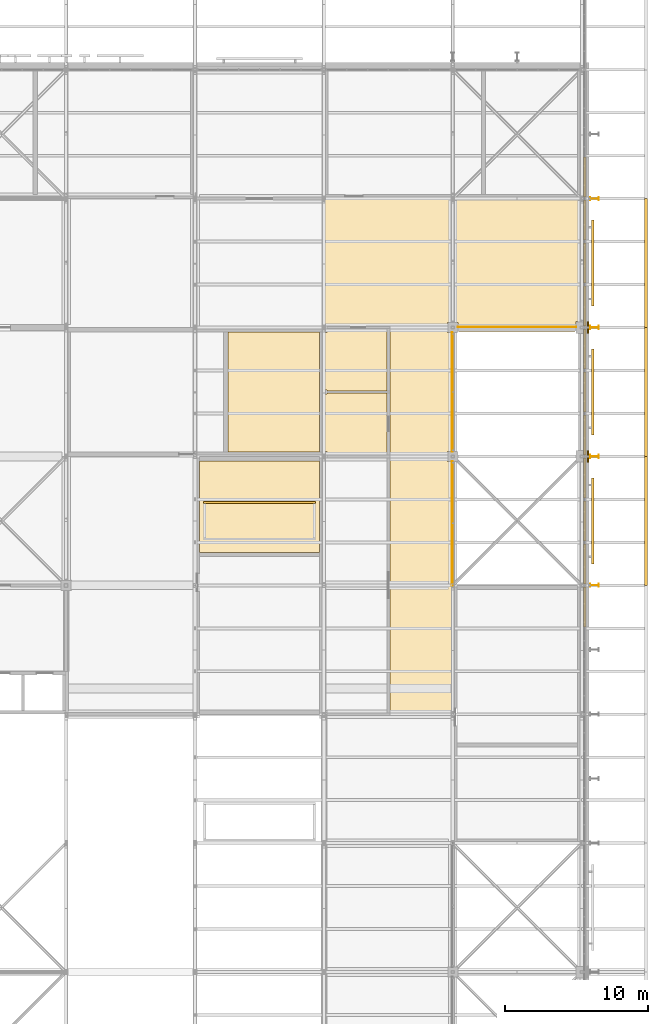
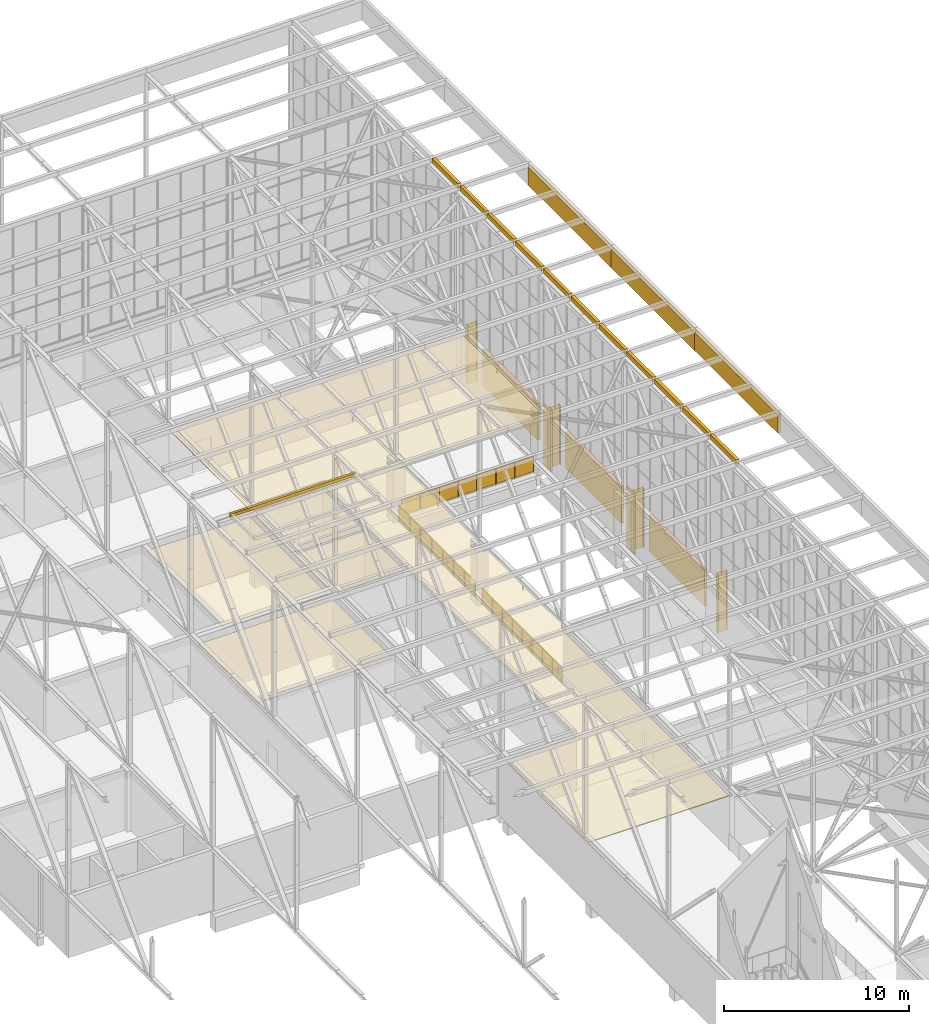
# One storey, part 641 of 646: 23 coverings, 7 shading devices, 3 railings.
"""IFC4 building model written with IfcOpenShell, lengths in metres."""

from ifc_helpers import new_model, si_unit, direction, frame, origin, origin_2d, place, context, subcontext, project, spatial, polyline, rectangle, circle, i_section, outline, extrude, material, layer, layer_set, material_profile, profile_set, type_object, element, save


model = new_model("IFC4")

# Units and contexts
model_context = context("Model", 3, precision=1e-05, world=origin(), true_north=direction((0.0, 1.0)))
body_context = subcontext(model_context, "Body", "Model", "MODEL_VIEW")
ifc_project = project(units=[si_unit("LENGTHUNIT", "METRE"), si_unit("AREAUNIT", "SQUARE_METRE"), si_unit("VOLUMEUNIT", "CUBIC_METRE"), si_unit("PLANEANGLEUNIT", "RADIAN"), si_unit("MASSUNIT", "GRAM", prefix="KILO")], contexts=[model_context])

# Site, building, storey
site_placement = place(None, origin())
site = spatial("IfcSite", under=ifc_project, at=site_placement, CompositionType="ELEMENT")
building_placement = place(site_placement, origin())
building = spatial("IfcBuilding", under=site, at=building_placement, Name="Silverbay Arena", CompositionType="ELEMENT")
storey_placement = place(building_placement, frame((0.0, 0.0, 33.5)))
storey = spatial("IfcBuildingStorey", under=building, at=storey_placement, Name="L05", CompositionType="ELEMENT", Elevation=33.5)

# Coverings
ifc_material_1 = material(Name="Aluminium composite cladding", Category="aluminium")
ifc_layer_1 = layer(ifc_material_1, 0.10009765625)
ifc_layer_set_1 = layer_set([ifc_layer_1], Name="Aluminium composite cladding")
covering_type_1 = type_object("IfcCoveringType", Name="Column cladding 100", PredefinedType="CLADDING", material=ifc_layer_set_1)
covering_1_placement = place(storey_placement, origin())
element("IfcCovering", 1, at=covering_1_placement, inside=storey, type_object=covering_type_1, Name="East column cladding L05 12", PredefinedType="CLADDING", context=body_context, shape_type="SweptSolid", body=[
    extrude(outline(polyline([(207.39990234375, 116.60009765625), (207.5, 116.60009765625), (207.5, 117.39990234375), (207.39990234375, 117.39990234375), (207.39990234375, 116.60009765625)])), origin(), (0.0, 0.0, 1.0), 4.0),
])
covering_2_placement = place(storey_placement, origin())
element("IfcCovering", 2, at=covering_2_placement, inside=storey, type_object=covering_type_1, Name="East column cladding L05 14", PredefinedType="CLADDING", context=body_context, shape_type="SweptSolid", body=[
    extrude(outline(polyline([(207.39990234375, 125.60009765625), (207.5, 125.60009765625), (207.5, 126.39990234375), (207.39990234375, 126.39990234375), (207.39990234375, 125.60009765625)])), origin(), (0.0, 0.0, 1.0), 4.0),
])
ifc_material_2 = material(Name="Fire-resisting board ceiling")
ifc_layer_2 = layer(ifc_material_2, 0.050048828125)
ifc_layer_set_2 = layer_set([ifc_layer_2], Name="Fire-resisting board ceiling")
covering_type_2 = type_object("IfcCoveringType", Name="Fire-resisting ceiling EI 120", PredefinedType="CEILING", material=ifc_layer_set_2)
covering_3_placement = place(storey_placement, frame((0.0, 0.0, 3.5)))
element("IfcCovering", 3, at=covering_3_placement, inside=storey, type_object=covering_type_2, Name="Fire-resisting ceiling 12", PredefinedType="CEILING", context=body_context, shape_type="SweptSolid", body=[
    extrude(outline(polyline([(198.02001953125, 117.409912109375), (198.27001953125, 117.409912109375), (198.27001953125, 125.590087890625), (198.02001953125, 125.590087890625), (198.02001953125, 125.639892578125), (197.639892578125, 125.639892578125), (197.639892578125, 126.02001953125), (193.60009765625, 126.02001953125), (193.60009765625, 98.89990234375), (189.22998046875, 98.89990234375), (189.22998046875, 90.02001953125), (197.969970703125, 90.02001953125), (197.969970703125, 108.030029296875), (198.02001953125, 108.030029296875), (198.02001953125, 108.06005859375), (198.27001953125, 108.06005859375), (198.27001953125, 116.590087890625), (198.02001953125, 116.590087890625), (198.02001953125, 116.639892578125), (197.639892578125, 116.639892578125), (197.639892578125, 117.360107421875), (198.02001953125, 117.360107421875), (198.02001953125, 117.409912109375)])), origin(), (0.0, 0.0, 1.0), 0.050048828125),
])
covering_4_placement = place(storey_placement, frame((0.0, 0.0, 3.5)))
element("IfcCovering", 4, at=covering_4_placement, inside=storey, type_object=covering_type_2, Name="Fire-resisting ceiling 16", PredefinedType="CEILING", context=body_context, shape_type="SweptSolid", body=[
    extrude(outline(polyline([(206.5400390625, 125.97998046875), (206.590087890625, 125.97998046875), (206.590087890625, 126.409912109375), (207.02001953125, 126.409912109375), (207.02001953125, 126.4599609375), (207.199951171875, 126.4599609375), (207.199951171875, 134.93994140625), (207.02001953125, 134.93994140625), (207.02001953125, 134.969970703125), (189.0, 134.969970703125), (189.0, 134.89990234375), (189.02001953125, 134.89990234375), (189.02001953125, 126.22998046875), (189.080078125, 126.22998046875), (189.080078125, 126.135009765625), (189.22998046875, 126.135009765625), (189.22998046875, 126.074951171875), (193.60009765625, 126.074951171875), (193.60009765625, 126.02001953125), (197.639892578125, 126.02001953125), (197.639892578125, 126.360107421875), (198.360107421875, 126.360107421875), (198.360107421875, 125.97998046875), (198.409912109375, 125.97998046875), (198.409912109375, 125.72998046875), (206.5400390625, 125.72998046875), (206.5400390625, 125.97998046875)])), origin(), (0.0, 0.0, 1.0), 0.050048828125),
])
covering_5_placement = place(storey_placement, frame((0.0, 0.0, 3.5)))
element("IfcCovering", 5, at=covering_5_placement, inside=storey, type_object=covering_type_2, Name="Fire-resisting ceiling 33", PredefinedType="CEILING", context=body_context, shape_type="SweptSolid", body=[
    extrude(outline(polyline([(189.22998046875, 121.364990234375), (189.0, 121.364990234375), (189.0, 117.35205078125), (189.22998046875, 117.35205078125), (189.22998046875, 117.10009765625), (193.39990234375, 117.10009765625), (193.39990234375, 121.425048828125), (189.22998046875, 121.425048828125), (189.22998046875, 121.364990234375)])), origin(), (0.0, 0.0, 1.0), 0.050048828125),
])
covering_6_placement = place(storey_placement, frame((0.0, 0.0, 3.5)))
element("IfcCovering", 6, at=covering_6_placement, inside=storey, type_object=covering_type_2, Name="Fire-resisting ceiling 34", PredefinedType="CEILING", context=body_context, shape_type="SweptSolid", body=[
    extrude(outline(polyline([(189.0, 125.64794921875), (189.0, 121.635009765625), (189.22998046875, 121.635009765625), (189.22998046875, 121.574951171875), (193.39990234375, 121.574951171875), (193.39990234375, 125.925048828125), (189.22998046875, 125.925048828125), (189.22998046875, 125.64794921875), (189.0, 125.64794921875)])), origin(), (0.0, 0.0, 1.0), 0.050048828125),
])
covering_7_placement = place(storey_placement, frame((0.0, 0.0, 3.5)))
element("IfcCovering", 7, at=covering_7_placement, inside=storey, type_object=covering_type_2, Name="Fire-resisting ceiling 82", PredefinedType="CEILING", context=body_context, shape_type="SweptSolid", body=[
    extrude(outline(polyline([(188.699951171875, 117.300048828125), (188.699951171875, 125.699951171875), (182.300048828125, 125.699951171875), (182.300048828125, 117.300048828125), (188.699951171875, 117.300048828125)])), origin(), (0.0, 0.0, 1.0), 0.050048828125),
])
covering_8_placement = place(storey_placement, frame((0.0, 0.0, 3.5)))
element("IfcCovering", 8, at=covering_8_placement, inside=storey, type_object=covering_type_2, Name="Fire-resisting ceiling 84", PredefinedType="CEILING", context=body_context, shape_type="SweptSolid", body=[
    extrude(outline(polyline([(180.300048828125, 110.300048828125), (188.699951171875, 110.300048828125), (188.699951171875, 116.699951171875), (180.300048828125, 116.699951171875), (180.300048828125, 110.300048828125)])), origin(), (0.0, 0.0, 1.0), 0.050048828125),
])
ifc_material_3 = material(Name="Insulated metal cladding panel")
ifc_layer_3 = layer(ifc_material_3, 0.199951171875)
ifc_layer_set_3 = layer_set([ifc_layer_3], Name="Insulated metal cladding panel")
covering_type_3 = type_object("IfcCoveringType", Name="Gable head closer 200", PredefinedType="CLADDING", material=ifc_layer_set_3)
covering_9_placement = place(storey_placement, frame((0.0, 0.0, 13.0)))
element("IfcCovering", 9, at=covering_9_placement, inside=storey, type_object=covering_type_3, Name="ROOF GABLE HEAD CLOSER east 33", PredefinedType="CLADDING", context=body_context, shape_type="SweptSolid", body=[
    extrude(outline(polyline([(207.110107421875, 105.10009765625), (207.31005859375, 105.10009765625), (207.31005859375, 107.89990234375), (207.110107421875, 107.89990234375), (207.110107421875, 105.10009765625)])), origin(), (0.0, 0.0, 1.0), 0.300048828125),
])
covering_10_placement = place(storey_placement, frame((0.0, 0.0, 13.0)))
element("IfcCovering", 10, at=covering_10_placement, inside=storey, type_object=covering_type_3, Name="ROOF GABLE HEAD CLOSER east 34", PredefinedType="CLADDING", context=body_context, shape_type="SweptSolid", body=[
    extrude(outline(polyline([(207.110107421875, 108.10009765625), (207.31005859375, 108.10009765625), (207.31005859375, 110.89990234375), (207.110107421875, 110.89990234375), (207.110107421875, 108.10009765625)])), origin(), (0.0, 0.0, 1.0), 0.300048828125),
])
covering_11_placement = place(storey_placement, frame((0.0, 0.0, 13.0)))
element("IfcCovering", 11, at=covering_11_placement, inside=storey, type_object=covering_type_3, Name="ROOF GABLE HEAD CLOSER east 35", PredefinedType="CLADDING", context=body_context, shape_type="SweptSolid", body=[
    extrude(outline(polyline([(207.110107421875, 111.10009765625), (207.31005859375, 111.10009765625), (207.31005859375, 113.89990234375), (207.110107421875, 113.89990234375), (207.110107421875, 111.10009765625)])), origin(), (0.0, 0.0, 1.0), 0.300048828125),
])
covering_12_placement = place(storey_placement, frame((0.0, 0.0, 13.0)))
element("IfcCovering", 12, at=covering_12_placement, inside=storey, type_object=covering_type_3, Name="ROOF GABLE HEAD CLOSER east 36", PredefinedType="CLADDING", context=body_context, shape_type="SweptSolid", body=[
    extrude(outline(polyline([(207.110107421875, 114.10009765625), (207.31005859375, 114.10009765625), (207.31005859375, 116.89990234375), (207.110107421875, 116.89990234375), (207.110107421875, 114.10009765625)])), origin(), (0.0, 0.0, 1.0), 0.300048828125),
])
covering_13_placement = place(storey_placement, frame((0.0, 0.0, 13.0)))
element("IfcCovering", 13, at=covering_13_placement, inside=storey, type_object=covering_type_3, Name="ROOF GABLE HEAD CLOSER east 37", PredefinedType="CLADDING", context=body_context, shape_type="SweptSolid", body=[
    extrude(outline(polyline([(207.110107421875, 117.10009765625), (207.31005859375, 117.10009765625), (207.31005859375, 119.89990234375), (207.110107421875, 119.89990234375), (207.110107421875, 117.10009765625)])), origin(), (0.0, 0.0, 1.0), 0.300048828125),
])
covering_14_placement = place(storey_placement, frame((0.0, 0.0, 13.0)))
element("IfcCovering", 14, at=covering_14_placement, inside=storey, type_object=covering_type_3, Name="ROOF GABLE HEAD CLOSER east 38", PredefinedType="CLADDING", context=body_context, shape_type="SweptSolid", body=[
    extrude(outline(polyline([(207.110107421875, 120.10009765625), (207.31005859375, 120.10009765625), (207.31005859375, 122.89990234375), (207.110107421875, 122.89990234375), (207.110107421875, 120.10009765625)])), origin(), (0.0, 0.0, 1.0), 0.300048828125),
])
covering_15_placement = place(storey_placement, frame((0.0, 0.0, 13.0)))
element("IfcCovering", 15, at=covering_15_placement, inside=storey, type_object=covering_type_3, Name="ROOF GABLE HEAD CLOSER east 39", PredefinedType="CLADDING", context=body_context, shape_type="SweptSolid", body=[
    extrude(outline(polyline([(207.110107421875, 123.10009765625), (207.31005859375, 123.10009765625), (207.31005859375, 125.89990234375), (207.110107421875, 125.89990234375), (207.110107421875, 123.10009765625)])), origin(), (0.0, 0.0, 1.0), 0.300048828125),
])
covering_16_placement = place(storey_placement, frame((0.0, 0.0, 13.0)))
element("IfcCovering", 16, at=covering_16_placement, inside=storey, type_object=covering_type_3, Name="ROOF GABLE HEAD CLOSER east 40", PredefinedType="CLADDING", context=body_context, shape_type="SweptSolid", body=[
    extrude(outline(polyline([(207.110107421875, 126.10009765625), (207.31005859375, 126.10009765625), (207.31005859375, 128.89990234375), (207.110107421875, 128.89990234375), (207.110107421875, 126.10009765625)])), origin(), (0.0, 0.0, 1.0), 0.300048828125),
])
covering_17_placement = place(storey_placement, frame((0.0, 0.0, 13.0)))
element("IfcCovering", 17, at=covering_17_placement, inside=storey, type_object=covering_type_3, Name="ROOF GABLE HEAD CLOSER east 41", PredefinedType="CLADDING", context=body_context, shape_type="SweptSolid", body=[
    extrude(outline(polyline([(207.110107421875, 129.10009765625), (207.31005859375, 129.10009765625), (207.31005859375, 131.89990234375), (207.110107421875, 131.89990234375), (207.110107421875, 129.10009765625)])), origin(), (0.0, 0.0, 1.0), 0.300048828125),
])
covering_18_placement = place(storey_placement, frame((0.0, 0.0, 13.0)))
element("IfcCovering", 18, at=covering_18_placement, inside=storey, type_object=covering_type_3, Name="ROOF GABLE HEAD CLOSER east 42", PredefinedType="CLADDING", context=body_context, shape_type="SweptSolid", body=[
    extrude(outline(polyline([(207.110107421875, 132.10009765625), (207.31005859375, 132.10009765625), (207.31005859375, 134.89990234375), (207.110107421875, 134.89990234375), (207.110107421875, 132.10009765625)])), origin(), (0.0, 0.0, 1.0), 0.300048828125),
])
covering_19_placement = place(storey_placement, frame((0.0, 0.0, 13.0)))
element("IfcCovering", 19, at=covering_19_placement, inside=storey, type_object=covering_type_3, Name="ROOF GABLE HEAD CLOSER east 43", PredefinedType="CLADDING", context=body_context, shape_type="SweptSolid", body=[
    extrude(outline(polyline([(207.110107421875, 135.10009765625), (207.31005859375, 135.10009765625), (207.31005859375, 137.89990234375), (207.110107421875, 137.89990234375), (207.110107421875, 135.10009765625)])), origin(), (0.0, 0.0, 1.0), 0.300048828125),
])

# Shading devices
ifc_material_4 = material(Name="Aluminium", Category="aluminium")
shading_device_type_1 = type_object("IfcShadingDeviceType", Name="Louvre screen 6000 x 2400", PredefinedType="JALOUSIE", material=ifc_material_4)
for number, where, z_axis, x_axis, name in (
    (20, (207.77490234375, 112.5, 0.800048828125), (0.0, 0.0, 1.0), (0.0, 1.0, 0.0), "East plant louvre L05 bay 11"),
    (21, (207.77490234375, 121.5, 0.800048828125), (0.0, 0.0, 1.0), (0.0, 1.0, 0.0), "East plant louvre L05 bay 12"),
    (22, (207.77490234375, 130.5, 0.800048828125), (0.0, 0.0, 1.0), (0.0, 1.0, 0.0), "East plant louvre L05 bay 13"),
):
    element("IfcShadingDevice", number, at=place(storey_placement, frame(where, z_axis=z_axis, x_axis=x_axis)), inside=storey, type_object=shading_device_type_1, Name=name, PredefinedType="JALOUSIE", context=body_context, shape_type="SweptSolid", body=[
        extrude(rectangle(XDim=6.0, YDim=0.14990234375, at=origin_2d()), origin(), (0.0, 0.0, 1.0), 2.39990234375),
    ])

# Railings
ifc_material_5 = material(Name="Stainless steel", Category="steel")
railing_type = type_object("IfcRailingType", Name="Opening guard 1100", PredefinedType="GUARDRAIL", material=ifc_material_5)
railing_1_placement = place(storey_placement, frame((197.9599609375, 108.0, 0.0)))
element("IfcRailing", 23, at=railing_1_placement, inside=storey, type_object=railing_type, Name="Opening guard L05 end gallery E-inner edge", PredefinedType="GUARDRAIL", context=body_context, shape_type="SweptSolid", body=[
    extrude(circle(Radius=0.02392578125, at=origin_2d()), frame((0.0, 0.0, 1.076171875), z_axis=(0.0, 1.0, 0.0), x_axis=(-1.0, 0.0, 0.0)), (0.0, 0.0, 1.0), 8.64990234375),
    extrude(outline(polyline([(-0.008056640625, 0.050048828125), (1.08935546875, 0.050048828125), (1.08935546875, 1.052978515625), (-0.008056640625, 1.052978515625), (-0.008056640625, 0.050048828125)])), frame((-0.0029296875, 0.0, 0.0), z_axis=(1.0, 0.0, 0.0), x_axis=(0.0, 1.0, 0.0)), (0.0, 0.0, 1.0), 0.006103515625),
    extrude(outline(polyline([(-0.008056640625, 0.050048828125), (1.08935546875, 0.050048828125), (1.08935546875, 1.052978515625), (-0.008056640625, 1.052978515625), (-0.008056640625, 0.050048828125)])), frame((-0.0029296875, 1.081298828125, 0.0), z_axis=(1.0, 0.0, 0.0), x_axis=(0.0, 1.0, 0.0)), (0.0, 0.0, 1.0), 0.006103515625),
    extrude(outline(polyline([(-0.008056640625, 0.050048828125), (1.08935546875, 0.050048828125), (1.08935546875, 1.052978515625), (-0.008056640625, 1.052978515625), (-0.008056640625, 0.050048828125)])), frame((-0.0029296875, 2.16259765625, 0.0), z_axis=(1.0, 0.0, 0.0), x_axis=(0.0, 1.0, 0.0)), (0.0, 0.0, 1.0), 0.006103515625),
    extrude(outline(polyline([(-0.008056640625, 0.050048828125), (1.08935546875, 0.050048828125), (1.08935546875, 1.052978515625), (-0.008056640625, 1.052978515625), (-0.008056640625, 0.050048828125)])), frame((-0.0029296875, 3.24365234375, 0.0), z_axis=(1.0, 0.0, 0.0), x_axis=(0.0, 1.0, 0.0)), (0.0, 0.0, 1.0), 0.006103515625),
    extrude(outline(polyline([(-0.008056640625, 0.050048828125), (1.08935546875, 0.050048828125), (1.08935546875, 1.052978515625), (-0.008056640625, 1.052978515625), (-0.008056640625, 0.050048828125)])), frame((-0.0029296875, 4.324951171875, 0.0), z_axis=(1.0, 0.0, 0.0), x_axis=(0.0, 1.0, 0.0)), (0.0, 0.0, 1.0), 0.006103515625),
    extrude(outline(polyline([(-0.008056640625, 0.050048828125), (1.08935546875, 0.050048828125), (1.08935546875, 1.052978515625), (-0.008056640625, 1.052978515625), (-0.008056640625, 0.050048828125)])), frame((-0.0029296875, 5.40625, 0.0), z_axis=(1.0, 0.0, 0.0), x_axis=(0.0, 1.0, 0.0)), (0.0, 0.0, 1.0), 0.006103515625),
    extrude(outline(polyline([(-0.008056640625, 0.050048828125), (1.08935546875, 0.050048828125), (1.08935546875, 1.052978515625), (-0.008056640625, 1.052978515625), (-0.008056640625, 0.050048828125)])), frame((-0.0029296875, 6.4873046875, 0.0), z_axis=(1.0, 0.0, 0.0), x_axis=(0.0, 1.0, 0.0)), (0.0, 0.0, 1.0), 0.006103515625),
    extrude(outline(polyline([(-0.008056640625, 0.050048828125), (1.08935546875, 0.050048828125), (1.08935546875, 1.052978515625), (-0.008056640625, 1.052978515625), (-0.008056640625, 0.050048828125)])), frame((-0.0029296875, 7.568603515625, 0.0), z_axis=(1.0, 0.0, 0.0), x_axis=(0.0, 1.0, 0.0)), (0.0, 0.0, 1.0), 0.006103515625),
    extrude(circle(Radius=0.02099609375, at=origin_2d()), origin(), (0.0, 0.0, 1.0), 1.052001953125),
    extrude(circle(Radius=0.02099609375, at=origin_2d()), frame((0.0, 1.081298828125, 0.0)), (0.0, 0.0, 1.0), 1.052001953125),
    extrude(circle(Radius=0.02099609375, at=origin_2d()), frame((0.0, 2.16259765625, 0.0)), (0.0, 0.0, 1.0), 1.052001953125),
    extrude(circle(Radius=0.02099609375, at=origin_2d()), frame((0.0, 3.24365234375, 0.0)), (0.0, 0.0, 1.0), 1.052001953125),
    extrude(circle(Radius=0.02099609375, at=origin_2d()), frame((0.0, 4.324951171875, 0.0)), (0.0, 0.0, 1.0), 1.052001953125),
    extrude(circle(Radius=0.02099609375, at=origin_2d()), frame((0.0, 5.40625, 0.0)), (0.0, 0.0, 1.0), 1.052001953125),
    extrude(circle(Radius=0.02099609375, at=origin_2d()), frame((0.0, 6.4873046875, 0.0)), (0.0, 0.0, 1.0), 1.052001953125),
    extrude(circle(Radius=0.02099609375, at=origin_2d()), frame((0.0, 7.568603515625, 0.0)), (0.0, 0.0, 1.0), 1.052001953125),
    extrude(circle(Radius=0.02099609375, at=origin_2d()), frame((0.0, 8.64990234375, 0.0)), (0.0, 0.0, 1.0), 1.052001953125),
])
railing_2_placement = place(storey_placement, frame((197.9599609375, 117.35009765625, 0.0)))
element("IfcRailing", 24, at=railing_2_placement, inside=storey, type_object=railing_type, Name="Opening guard L05 end gallery E-inner edge", PredefinedType="GUARDRAIL", context=body_context, shape_type="SweptSolid", body=[
    extrude(circle(Radius=0.02392578125, at=origin_2d()), frame((0.0, 0.0, 1.076171875), z_axis=(0.0, 1.0, 0.0), x_axis=(-1.0, 0.0, 0.0)), (0.0, 0.0, 1.0), 8.2998046875),
    extrude(outline(polyline([(-0.008056640625, 0.050048828125), (1.193603515625, 0.050048828125), (1.193603515625, 1.052978515625), (-0.008056640625, 1.052978515625), (-0.008056640625, 0.050048828125)])), frame((-0.0029296875, 0.0, 0.0), z_axis=(1.0, 0.0, 0.0), x_axis=(0.0, 1.0, 0.0)), (0.0, 0.0, 1.0), 0.006103515625),
    extrude(outline(polyline([(-0.008056640625, 0.050048828125), (1.193603515625, 0.050048828125), (1.193603515625, 1.052978515625), (-0.008056640625, 1.052978515625), (-0.008056640625, 0.050048828125)])), frame((-0.0029296875, 1.185791015625, 0.0), z_axis=(1.0, 0.0, 0.0), x_axis=(0.0, 1.0, 0.0)), (0.0, 0.0, 1.0), 0.006103515625),
    extrude(outline(polyline([(-0.008056640625, 0.050048828125), (1.193603515625, 0.050048828125), (1.193603515625, 1.052978515625), (-0.008056640625, 1.052978515625), (-0.008056640625, 0.050048828125)])), frame((-0.0029296875, 2.371337890625, 0.0), z_axis=(1.0, 0.0, 0.0), x_axis=(0.0, 1.0, 0.0)), (0.0, 0.0, 1.0), 0.006103515625),
    extrude(outline(polyline([(-0.008056640625, 0.050048828125), (1.193603515625, 0.050048828125), (1.193603515625, 1.052978515625), (-0.008056640625, 1.052978515625), (-0.008056640625, 0.050048828125)])), frame((-0.0029296875, 3.55712890625, 0.0), z_axis=(1.0, 0.0, 0.0), x_axis=(0.0, 1.0, 0.0)), (0.0, 0.0, 1.0), 0.006103515625),
    extrude(outline(polyline([(-0.008056640625, 0.050048828125), (1.193603515625, 0.050048828125), (1.193603515625, 1.052978515625), (-0.008056640625, 1.052978515625), (-0.008056640625, 0.050048828125)])), frame((-0.0029296875, 4.74267578125, 0.0), z_axis=(1.0, 0.0, 0.0), x_axis=(0.0, 1.0, 0.0)), (0.0, 0.0, 1.0), 0.006103515625),
    extrude(outline(polyline([(-0.008056640625, 0.050048828125), (1.193603515625, 0.050048828125), (1.193603515625, 1.052978515625), (-0.008056640625, 1.052978515625), (-0.008056640625, 0.050048828125)])), frame((-0.0029296875, 5.928466796875, 0.0), z_axis=(1.0, 0.0, 0.0), x_axis=(0.0, 1.0, 0.0)), (0.0, 0.0, 1.0), 0.006103515625),
    extrude(outline(polyline([(-0.008056640625, 0.050048828125), (1.193603515625, 0.050048828125), (1.193603515625, 1.052978515625), (-0.008056640625, 1.052978515625), (-0.008056640625, 0.050048828125)])), frame((-0.0029296875, 7.114013671875, 0.0), z_axis=(1.0, 0.0, 0.0), x_axis=(0.0, 1.0, 0.0)), (0.0, 0.0, 1.0), 0.006103515625),
    extrude(circle(Radius=0.02099609375, at=origin_2d()), origin(), (0.0, 0.0, 1.0), 1.052001953125),
    extrude(circle(Radius=0.02099609375, at=origin_2d()), frame((0.0, 1.185791015625, 0.0)), (0.0, 0.0, 1.0), 1.052001953125),
    extrude(circle(Radius=0.02099609375, at=origin_2d()), frame((0.0, 2.371337890625, 0.0)), (0.0, 0.0, 1.0), 1.052001953125),
    extrude(circle(Radius=0.02099609375, at=origin_2d()), frame((0.0, 3.55712890625, 0.0)), (0.0, 0.0, 1.0), 1.052001953125),
    extrude(circle(Radius=0.02099609375, at=origin_2d()), frame((0.0, 4.74267578125, 0.0)), (0.0, 0.0, 1.0), 1.052001953125),
    extrude(circle(Radius=0.02099609375, at=origin_2d()), frame((0.0, 5.928466796875, 0.0)), (0.0, 0.0, 1.0), 1.052001953125),
    extrude(circle(Radius=0.02099609375, at=origin_2d()), frame((0.0, 7.114013671875, 0.0)), (0.0, 0.0, 1.0), 1.052001953125),
    extrude(circle(Radius=0.02099609375, at=origin_2d()), frame((0.0, 8.2998046875, 0.0)), (0.0, 0.0, 1.0), 1.052001953125),
])
railing_3_placement = place(storey_placement, frame((198.35009765625, 126.0400390625, 0.0)))
element("IfcRailing", 25, at=railing_3_placement, inside=storey, type_object=railing_type, Name="Opening guard L05 end gallery E-north edge", PredefinedType="GUARDRAIL", context=body_context, shape_type="SweptSolid", body=[
    extrude(circle(Radius=0.02392578125, at=origin_2d()), frame((0.0, 0.0, 1.076171875), z_axis=(1.0, 0.0, 0.0), x_axis=(0.0, 1.0, 0.0)), (0.0, 0.0, 1.0), 8.25),
    extrude(outline(polyline([(-0.008056640625, 0.050048828125), (1.1865234375, 0.050048828125), (1.1865234375, 1.052978515625), (-0.008056640625, 1.052978515625), (-0.008056640625, 0.050048828125)])), frame((0.0, 0.0029296875, 0.0), z_axis=(0.0, -1.0, 0.0), x_axis=(1.0, 0.0, 0.0)), (0.0, 0.0, 1.0), 0.006103515625),
    extrude(outline(polyline([(-0.008056640625, 0.050048828125), (1.1865234375, 0.050048828125), (1.1865234375, 1.052978515625), (-0.008056640625, 1.052978515625), (-0.008056640625, 0.050048828125)])), frame((1.178466796875, 0.0029296875, 0.0), z_axis=(0.0, -1.0, 0.0), x_axis=(1.0, 0.0, 0.0)), (0.0, 0.0, 1.0), 0.006103515625),
    extrude(outline(polyline([(-0.008056640625, 0.050048828125), (1.1865234375, 0.050048828125), (1.1865234375, 1.052978515625), (-0.008056640625, 1.052978515625), (-0.008056640625, 0.050048828125)])), frame((2.357177734375, 0.0029296875, 0.0), z_axis=(0.0, -1.0, 0.0), x_axis=(1.0, 0.0, 0.0)), (0.0, 0.0, 1.0), 0.006103515625),
    extrude(outline(polyline([(-0.008056640625, 0.050048828125), (1.1865234375, 0.050048828125), (1.1865234375, 1.052978515625), (-0.008056640625, 1.052978515625), (-0.008056640625, 0.050048828125)])), frame((3.53564453125, 0.0029296875, 0.0), z_axis=(0.0, -1.0, 0.0), x_axis=(1.0, 0.0, 0.0)), (0.0, 0.0, 1.0), 0.006103515625),
    extrude(outline(polyline([(-0.008056640625, 0.050048828125), (1.1865234375, 0.050048828125), (1.1865234375, 1.052978515625), (-0.008056640625, 1.052978515625), (-0.008056640625, 0.050048828125)])), frame((4.71435546875, 0.0029296875, 0.0), z_axis=(0.0, -1.0, 0.0), x_axis=(1.0, 0.0, 0.0)), (0.0, 0.0, 1.0), 0.006103515625),
    extrude(outline(polyline([(-0.008056640625, 0.050048828125), (1.1865234375, 0.050048828125), (1.1865234375, 1.052978515625), (-0.008056640625, 1.052978515625), (-0.008056640625, 0.050048828125)])), frame((5.892822265625, 0.0029296875, 0.0), z_axis=(0.0, -1.0, 0.0), x_axis=(1.0, 0.0, 0.0)), (0.0, 0.0, 1.0), 0.006103515625),
    extrude(outline(polyline([(-0.008056640625, 0.050048828125), (1.1865234375, 0.050048828125), (1.1865234375, 1.052978515625), (-0.008056640625, 1.052978515625), (-0.008056640625, 0.050048828125)])), frame((7.071533203125, 0.0029296875, 0.0), z_axis=(0.0, -1.0, 0.0), x_axis=(1.0, 0.0, 0.0)), (0.0, 0.0, 1.0), 0.006103515625),
    extrude(circle(Radius=0.02099609375, at=origin_2d()), origin(), (0.0, 0.0, 1.0), 1.052001953125),
    extrude(circle(Radius=0.02099609375, at=origin_2d()), frame((1.178466796875, 0.0, 0.0)), (0.0, 0.0, 1.0), 1.052001953125),
    extrude(circle(Radius=0.02099609375, at=origin_2d()), frame((2.357177734375, 0.0, 0.0)), (0.0, 0.0, 1.0), 1.052001953125),
    extrude(circle(Radius=0.02099609375, at=origin_2d()), frame((3.53564453125, 0.0, 0.0)), (0.0, 0.0, 1.0), 1.052001953125),
    extrude(circle(Radius=0.02099609375, at=origin_2d()), frame((4.71435546875, 0.0, 0.0)), (0.0, 0.0, 1.0), 1.052001953125),
    extrude(circle(Radius=0.02099609375, at=origin_2d()), frame((5.892822265625, 0.0, 0.0)), (0.0, 0.0, 1.0), 1.052001953125),
    extrude(circle(Radius=0.02099609375, at=origin_2d()), frame((7.071533203125, 0.0, 0.0)), (0.0, 0.0, 1.0), 1.052001953125),
    extrude(circle(Radius=0.02099609375, at=origin_2d()), frame((8.25, 0.0, 0.0)), (0.0, 0.0, 1.0), 1.052001953125),
])

# Coverings
ifc_material_6 = material(Name="Insulated metal cladding panel")
ifc_layer_4 = layer(ifc_material_6, 0.199951171875)
ifc_layer_set_4 = layer_set([ifc_layer_4], Name="Insulated metal cladding panel")
covering_type_4 = type_object("IfcCoveringType", Name="Roof edge fascia 200", PredefinedType="CLADDING", material=ifc_layer_set_4)
covering_20_placement = place(storey_placement, frame((0.0, 0.0, 11.800048828125)))
element("IfcCovering", 26, at=covering_20_placement, inside=storey, type_object=covering_type_4, Name="ROOF EDGE FASCIA east bay 12", PredefinedType="CLADDING", context=body_context, shape_type="SweptSolid", body=[
    extrude(outline(polyline([(211.39990234375, 108.0), (211.60009765625, 108.0), (211.60009765625, 117.0), (211.39990234375, 117.0), (211.39990234375, 108.0)])), origin(), (0.0, 0.0, 1.0), 1.199951171875),
])
covering_21_placement = place(storey_placement, frame((0.0, 0.0, 11.800048828125)))
element("IfcCovering", 27, at=covering_21_placement, inside=storey, type_object=covering_type_4, Name="ROOF EDGE FASCIA east bay 13", PredefinedType="CLADDING", context=body_context, shape_type="SweptSolid", body=[
    extrude(outline(polyline([(211.39990234375, 117.0), (211.60009765625, 117.0), (211.60009765625, 126.0), (211.39990234375, 126.0), (211.39990234375, 117.0)])), origin(), (0.0, 0.0, 1.0), 1.199951171875),
])
covering_22_placement = place(storey_placement, frame((0.0, 0.0, 11.800048828125)))
element("IfcCovering", 28, at=covering_22_placement, inside=storey, type_object=covering_type_4, Name="ROOF EDGE FASCIA east bay 14", PredefinedType="CLADDING", context=body_context, shape_type="SweptSolid", body=[
    extrude(outline(polyline([(211.39990234375, 126.0), (211.60009765625, 126.0), (211.60009765625, 135.0), (211.39990234375, 135.0), (211.39990234375, 126.0)])), origin(), (0.0, 0.0, 1.0), 1.199951171875),
])
ifc_material_7 = material(Name="Insulated metal curb")
ifc_layer_5 = layer(ifc_material_7, 0.14990234375)
ifc_layer_set_5 = layer_set([ifc_layer_5], Name="Insulated metal curb")
covering_type_5 = type_object("IfcCoveringType", Name="Roof light curb 150", PredefinedType="CLADDING", material=ifc_layer_set_5)
covering_23_placement = place(storey_placement, frame((0.0, 0.0, 13.60009765625)))
element("IfcCovering", 29, at=covering_23_placement, inside=storey, type_object=covering_type_5, Name="ROOF LIGHT CURB 08 N", PredefinedType="CLADDING", context=body_context, shape_type="SweptSolid", body=[
    extrude(outline(polyline([(180.60009765625, 113.699951171875), (188.39990234375, 113.699951171875), (188.39990234375, 113.85009765625), (180.60009765625, 113.85009765625), (180.60009765625, 113.699951171875)])), origin(), (0.0, 0.0, 1.0), 0.199951171875),
])

# Shading devices
ifc_material_8 = material(Name="Steel S355", Category="steel")
ifc_material_profile = material_profile(ifc_material_8, i_section(OverallWidth=0.2275390625, OverallDepth=0.6025390625, WebThickness=0.010498046875, FlangeThickness=0.014892578125, at=origin_2d()), Name="UB 610x229x101")
ifc_profile_set = profile_set([ifc_material_profile], Name="Steel S355")
shading_device_type_2 = type_object("IfcShadingDeviceType", Name="Steel fin UB 610x229x101", PredefinedType="USERDEFINED", material=ifc_profile_set)
for number, where, z_axis, x_axis, name in (
    (30, (207.9013671875, 108.0, 0.0), (0.0, 0.0, 1.0), (0.0, 1.0, 0.0), "Steel fin E L05 20"),
    (31, (207.9013671875, 117.0, 0.0), (0.0, 0.0, 1.0), (0.0, 1.0, 0.0), "Steel fin E L05 22"),
    (32, (207.9013671875, 126.0, 0.0), (0.0, 0.0, 1.0), (0.0, 1.0, 0.0), "Steel fin E L05 24"),
    (33, (207.9013671875, 135.0, 0.0), (0.0, 0.0, 1.0), (0.0, 1.0, 0.0), "Steel fin E L05 26"),
):
    element("IfcShadingDevice", number, at=place(storey_placement, frame(where, z_axis=z_axis, x_axis=x_axis)), inside=storey, type_object=shading_device_type_2, Name=name, ObjectType="FIN", PredefinedType="USERDEFINED", context=body_context, shape_type="SweptSolid", body=[
        extrude(i_section(OverallWidth=0.2275390625, OverallDepth=0.6025390625, WebThickness=0.010498046875, FlangeThickness=0.014892578125, at=origin_2d()), origin(), (0.0, 0.0, 1.0), 3.93994140625),
    ])

save(model, "model.ifc")
